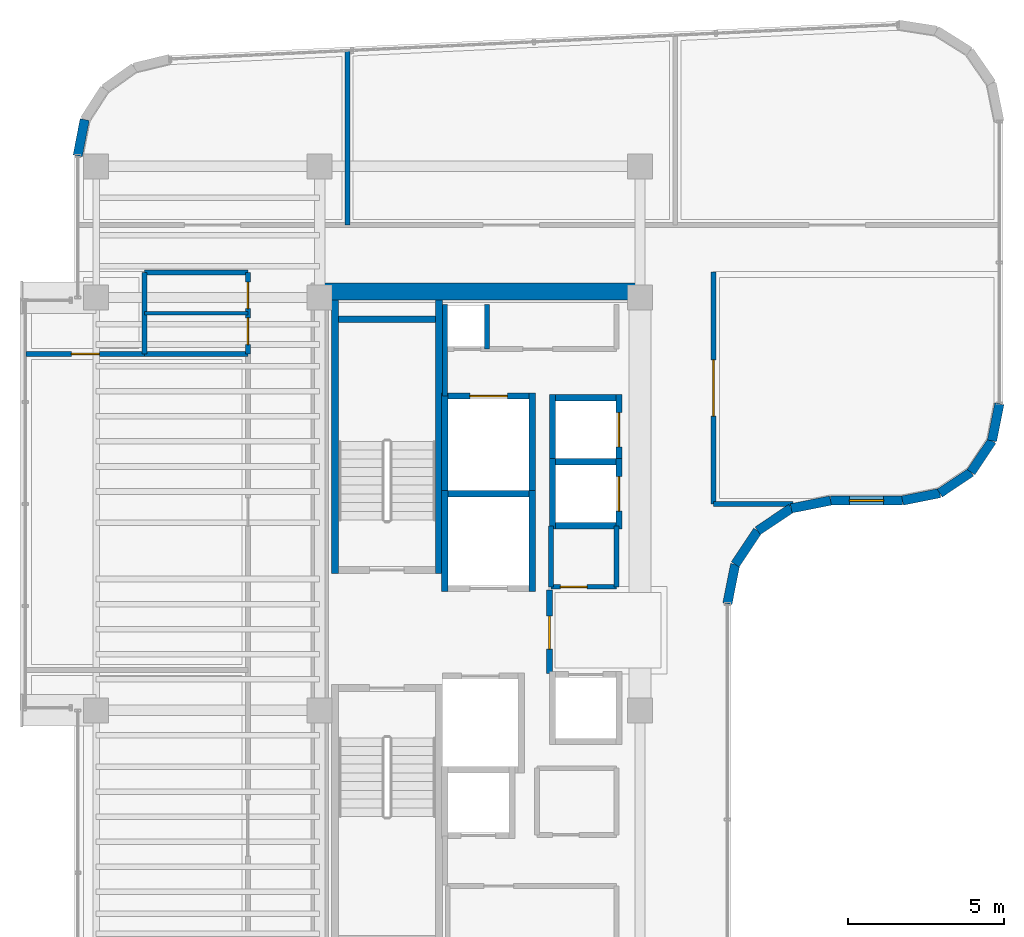
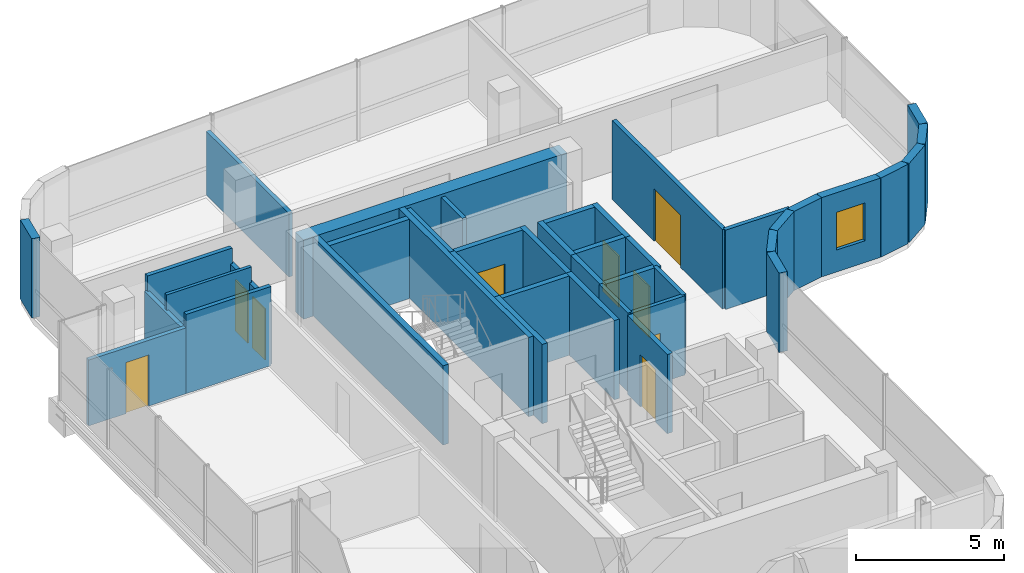
# One storey, part 15 of 18: 42 walls, 9 doors, 1 window, 10 openings.
"""IFC4 building model written with IfcOpenShell, lengths in metres."""

from ifc_helpers import new_model, si_unit, direction, frame, frame_2d, origin, place, context, subcontext, project, spatial, rectangle, extrude, material, layer, layer_set, type_object, element, fill, save


model = new_model("IFC4")

# Units and contexts
model_context = context("Model", 3, precision=1e-05, world=origin(), true_north=direction((0.0, 1.0)))
body_context = subcontext(model_context, "Body", "Model", "MODEL_VIEW")
ifc_project = project(units=[si_unit("LENGTHUNIT", "METRE"), si_unit("AREAUNIT", "SQUARE_METRE"), si_unit("VOLUMEUNIT", "CUBIC_METRE"), si_unit("PLANEANGLEUNIT", "RADIAN"), si_unit("MASSUNIT", "GRAM", prefix="KILO")], contexts=[model_context])

# Site, building, storey
site_placement = place(None, origin())
site = spatial("IfcSite", under=ifc_project, at=site_placement, CompositionType="ELEMENT")
building_placement = place(site_placement, origin())
building = spatial("IfcBuilding", under=site, at=building_placement, Name="Valdorenza Pilgrim Sanctuary Tower", CompositionType="ELEMENT")
storey_placement = place(building_placement, frame((0.0, 0.0, 276.5)))
storey = spatial("IfcBuildingStorey", under=building, at=storey_placement, Name="L72", CompositionType="ELEMENT", Elevation=276.5)

# Walls
ifc_material_1 = material(Name="Acoustic twin-stud gypsum partition", Category="gypsum")
ifc_layer_1 = layer(ifc_material_1, 0.159912109375, Name="Acoustic twin-stud gypsum partition")
ifc_layer_set_1 = layer_set([ifc_layer_1], Name="Acoustic twin-stud gypsum partition")
wall_type_1 = type_object("IfcWallType", Name="WAL-COR-160", PredefinedType="PARTITIONING", material=ifc_layer_set_1)
wall_1_placement = place(storey_placement, frame((-18.64990234375, 7.449951171875, 0.0), z_axis=(0.0, 0.0, 1.0), x_axis=(0.0, 1.0, 0.0)))
element("IfcWall", 1, at=wall_1_placement, inside=storey, type_object=wall_type_1, Name="L72 Core A North Service West Wall", PredefinedType="PARTITIONING", context=body_context, shape_type="SweptSolid", body=[
    extrude(rectangle(XDim=2.929931640625, YDim=0.159912109375, at=frame_2d((1.46484375, 0.0))), origin(), (0.0, 0.0, 1.0), 3.260009765625),
])
wall_2_placement = place(storey_placement, frame((-17.300048828125, 8.949951171875, 0.0), z_axis=(0.0, 0.0, 1.0), x_axis=(0.0, 1.0, 0.0)))
element("IfcWall", 2, at=wall_2_placement, inside=storey, type_object=wall_type_1, Name="L72 Core Electrical Riser Wall", PredefinedType="PARTITIONING", context=body_context, shape_type="SweptSolid", body=[
    extrude(rectangle(XDim=1.429931640625, YDim=0.159912109375, at=frame_2d((0.71484375, 0.0))), origin(), (0.0, 0.0, 1.0), 3.260009765625),
])
wall_3_placement = place(storey_placement, frame((-13.14990234375, 1.35009765625, 0.0), z_axis=(0.0, 0.0, 1.0), x_axis=(0.0, 1.0, 0.0)))
element("IfcWall", 3, at=wall_3_placement, inside=storey, type_object=wall_type_1, Name="L72 Freed Shaft 6 East Wall", PredefinedType="PARTITIONING", context=body_context, shape_type="SweptSolid", body=[
    extrude(rectangle(XDim=1.949951171875, YDim=0.159912109375, at=frame_2d((0.97509765625, 0.0))), origin(), (0.0, 0.0, 1.0), 3.260009765625),
])
wall_4_placement = place(storey_placement, frame((-28.25, 8.800048828125, 0.0), z_axis=(0.0, 0.0, 1.0), x_axis=(0.0, 1.0, 0.0)))
element("IfcWall", 4, at=wall_4_placement, inside=storey, type_object=wall_type_1, Name="L72 Washroom West Wall", PredefinedType="PARTITIONING", context=body_context, shape_type="SweptSolid", body=[
    extrude(rectangle(XDim=2.599853515625, YDim=0.159912109375, at=frame_2d((1.2998046875, 0.0))), origin(), (0.0, 0.0, 1.0), 2.623046875),
])

# Wall, openings, doors
wall_5_placement = place(storey_placement, frame((-24.949951171875, 8.800048828125, 0.0), z_axis=(0.0, 0.0, 1.0), x_axis=(0.0, 1.0, 0.0)))
wall_5 = element("IfcWall", 5, at=wall_5_placement, inside=storey, type_object=wall_type_1, Name="L72 Washroom East Wall", PredefinedType="PARTITIONING", context=body_context, shape_type="SweptSolid", body=[
    extrude(rectangle(XDim=2.599853515625, YDim=0.159912109375, at=frame_2d((1.2998046875, 0.0))), origin(), (0.0, 0.0, 1.0), 2.623046875),
])
opening_1_placement = place(wall_5_placement, frame((0.300048828125, 0.0, 0.0)))
opening_1 = element("IfcOpeningElement", 6, at=opening_1_placement, cuts=wall_5, Name="Opening DR-WC1", PredefinedType="OPENING", context=body_context, shape_type="SweptSolid", body=[
    extrude(rectangle(XDim=0.85009765625, YDim=2.10009765625, at=frame_2d((0.425048828125, 1.050048828125))), frame((0.0, 0.0947265625, 0.0), z_axis=(0.0, -1.0, 0.0), x_axis=(1.0, 0.0, 0.0)), (0.0, 0.0, 1.0), 0.189697265625),
])
opening_2_placement = place(wall_5_placement, frame((1.449951171875, 0.0, 0.0)))
opening_2 = element("IfcOpeningElement", 7, at=opening_2_placement, cuts=wall_5, Name="Opening DR-WC1", PredefinedType="OPENING", context=body_context, shape_type="SweptSolid", body=[
    extrude(rectangle(XDim=0.85009765625, YDim=2.10009765625, at=frame_2d((0.425048828125, 1.050048828125))), frame((0.0, 0.0947265625, 0.0), z_axis=(0.0, -1.0, 0.0), x_axis=(1.0, 0.0, 0.0)), (0.0, 0.0, 1.0), 0.189697265625),
])
ifc_material_2 = material(Name="Moisture-resistant lacquered timber", Category="wood")
door_type_1 = type_object("IfcDoorType", Name="DR-BATH-850", OperationType="NOTDEFINED", PredefinedType="DOOR", material=ifc_material_2)
door_1_placement = place(opening_1_placement, origin())
door_1 = element("IfcDoor", 8, at=door_1_placement, inside=storey, type_object=door_type_1, Name="L72 Accessible Washroom Door", OperationType="SINGLE_SWING_RIGHT", OverallHeight=2.10009765625, OverallWidth=0.85009765625, PredefinedType="DOOR", context=body_context, shape_type="SweptSolid", body=[
    extrude(rectangle(XDim=0.85009765625, YDim=2.10009765625, at=frame_2d((0.425048828125, 1.050048828125))), frame((0.0, 0.02490234375, 0.0), z_axis=(0.0, -1.0, 0.0), x_axis=(1.0, 0.0, 0.0)), (0.0, 0.0, 1.0), 0.050048828125),
])
fill(opening_1, door_1)
door_2_placement = place(opening_2_placement, origin())
door_2 = element("IfcDoor", 9, at=door_2_placement, inside=storey, type_object=door_type_1, Name="L72 Public Washroom Door", OperationType="SINGLE_SWING_LEFT", OverallHeight=2.10009765625, OverallWidth=0.85009765625, PredefinedType="DOOR", context=body_context, shape_type="SweptSolid", body=[
    extrude(rectangle(XDim=0.85009765625, YDim=2.10009765625, at=frame_2d((0.425048828125, 1.050048828125))), frame((0.0, 0.02490234375, 0.0), z_axis=(0.0, -1.0, 0.0), x_axis=(1.0, 0.0, 0.0)), (0.0, 0.0, 1.0), 0.050048828125),
])
fill(opening_2, door_2)

# Walls
for number, where, z_axis, x_axis, name in (
    (10, (-28.25, 8.800048828125, 0.0), (0.0, 0.0, 1.0), (1.0, 0.0, 0.0), "L72 Washroom South Wall"),
    (11, (-28.25, 11.39990234375, 0.0), (0.0, 0.0, 1.0), (1.0, 0.0, 0.0), "L72 Washroom North Wall"),
):
    element("IfcWall", number, at=place(storey_placement, frame(where, z_axis=z_axis, x_axis=x_axis)), inside=storey, type_object=wall_type_1, Name=name, PredefinedType="PARTITIONING", context=body_context, shape_type="SweptSolid", body=[
        extrude(rectangle(XDim=3.300048828125, YDim=0.159912109375, at=frame_2d((1.64990234375, 0.0))), origin(), (0.0, 0.0, 1.0), 3.260009765625),
    ])

# Wall, opening, door
wall_6_placement = place(storey_placement, frame((-32.0400390625, 8.800048828125, 0.0), z_axis=(0.0, 0.0, 1.0), x_axis=(1.0, 0.0, 0.0)))
wall_6 = element("IfcWall", 12, at=wall_6_placement, inside=storey, type_object=wall_type_1, Name="L72 West North Alcove Wall", PredefinedType="PARTITIONING", context=body_context, shape_type="SweptSolid", body=[
    extrude(rectangle(XDim=3.7900390625, YDim=0.159912109375, at=frame_2d((1.89501953125, 0.0))), origin(), (0.0, 0.0, 1.0), 2.7060546875),
])
opening_3_placement = place(wall_6_placement, frame((1.445068359375, 0.0, 0.0)))
opening_3 = element("IfcOpeningElement", 13, at=opening_3_placement, cuts=wall_6, Name="Opening DR-RM1", PredefinedType="OPENING", context=body_context, shape_type="SweptSolid", body=[
    extrude(rectangle(XDim=0.89990234375, YDim=2.10009765625, at=frame_2d((0.449951171875, 1.050048828125))), frame((0.0, 0.0947265625, 0.0), z_axis=(0.0, -1.0, 0.0), x_axis=(1.0, 0.0, 0.0)), (0.0, 0.0, 1.0), 0.189697265625),
])
ifc_material_3 = material(Name="Solid-core European oak timber", Category="wood")
door_type_2 = type_object("IfcDoorType", Name="DR-ROOM-900", OperationType="NOTDEFINED", PredefinedType="DOOR", material=ifc_material_3)
door_3_placement = place(opening_3_placement, origin())
door_3 = element("IfcDoor", 14, at=door_3_placement, inside=storey, type_object=door_type_2, Name="L72 Pilgrim Scholar Office L72-WN Door", OperationType="SINGLE_SWING_RIGHT", OverallHeight=2.10009765625, OverallWidth=0.89990234375, PredefinedType="DOOR", context=body_context, shape_type="SweptSolid", body=[
    extrude(rectangle(XDim=0.89990234375, YDim=2.10009765625, at=frame_2d((0.449951171875, 1.050048828125))), frame((0.0, 0.02490234375, 0.0), z_axis=(0.0, -1.0, 0.0), x_axis=(1.0, 0.0, 0.0)), (0.0, 0.0, 1.0), 0.050048828125),
])
fill(opening_3, door_3)

wall_7_placement = place(storey_placement, frame((-10.050048828125, 4.0, 0.0), z_axis=(0.0, 0.0, 1.0), x_axis=(0.0, 1.0, 0.0)))
wall_7 = element("IfcWall", 15, at=wall_7_placement, inside=storey, type_object=wall_type_1, Name="L72 East Stub Corridor Wall", PredefinedType="PARTITIONING", context=body_context, shape_type="SweptSolid", body=[
    extrude(rectangle(XDim=7.419921875, YDim=0.159912109375, at=frame_2d((3.7099609375, 0.0))), origin(), (0.0, 0.0, 1.0), 3.260009765625),
])
opening_4_placement = place(wall_7_placement, frame((2.81005859375, 0.0, 0.0)))
opening_4 = element("IfcOpeningElement", 16, at=opening_4_placement, cuts=wall_7, Name="Opening DR-HL1", PredefinedType="OPENING", context=body_context, shape_type="SweptSolid", body=[
    extrude(rectangle(XDim=1.800048828125, YDim=2.14990234375, at=frame_2d((0.89990234375, 1.074951171875))), frame((0.0, 0.0947265625, 0.0), z_axis=(0.0, -1.0, 0.0), x_axis=(1.0, 0.0, 0.0)), (0.0, 0.0, 1.0), 0.189697265625),
])
ifc_material_4 = material(Name="Acoustic oak and vision-glass double door", Category="glass")
door_type_3 = type_object("IfcDoorType", Name="DR-HALL-1800", OperationType="NOTDEFINED", PredefinedType="DOOR", material=ifc_material_4)
door_4_placement = place(opening_4_placement, frame((1.800048828125, 0.0, 0.0), z_axis=(0.0, 0.0, 1.0), x_axis=(-1.0, 0.0, 0.0)))
door_4 = element("IfcDoor", 17, at=door_4_placement, inside=storey, type_object=door_type_3, Name="L72 Sacred Art Exhibition Gallery L72-E1 Door", OperationType="DOUBLE_DOOR_SINGLE_SWING", OverallHeight=2.14990234375, OverallWidth=1.800048828125, PredefinedType="DOOR", context=body_context, shape_type="SweptSolid", body=[
    extrude(rectangle(XDim=1.800048828125, YDim=2.14990234375, at=frame_2d((0.89990234375, 1.074951171875))), frame((0.0, 0.02490234375, 0.0), z_axis=(0.0, -1.0, 0.0), x_axis=(1.0, 0.0, 0.0)), (0.0, 0.0, 1.0), 0.050048828125),
])
fill(opening_4, door_4)

# Walls
wall_8_placement = place(storey_placement, frame((-10.050048828125, 4.0, 0.0), z_axis=(0.0, 0.0, 1.0), x_axis=(1.0, 0.0, 0.0)))
element("IfcWall", 18, at=wall_8_placement, inside=storey, type_object=wall_type_1, Name="L72 East Stub South Wall", PredefinedType="PARTITIONING", context=body_context, shape_type="SweptSolid", body=[
    extrude(rectangle(XDim=2.545654296875, YDim=0.159912109375, at=frame_2d((1.27294921875, 0.0))), origin(), (0.0, 0.0, 1.0), 3.260009765625),
])
ifc_material_5 = material(Name="Concrete C50/60", Category="concrete")
ifc_layer_2 = layer(ifc_material_5, 0.550048828125, Name="Concrete C50/60")
ifc_layer_set_2 = layer_set([ifc_layer_2], Name="Concrete C50/60")
wall_type_2 = type_object("IfcWallType", Name="WAL-COR-550", PredefinedType="SHEAR", material=ifc_layer_set_2)
wall_9_placement = place(storey_placement, frame((-22.64990234375, 10.800048828125, 0.0), z_axis=(0.0, 0.0, 1.0), x_axis=(1.0, 0.0, 0.0)))
element("IfcWall", 19, at=wall_9_placement, inside=storey, type_object=wall_type_2, Name="L72 Split Core A Shear Wall N", PredefinedType="SHEAR", context=body_context, shape_type="SweptSolid", body=[
    extrude(rectangle(XDim=10.25, YDim=0.550048828125, at=frame_2d((5.125, 0.0))), origin(), (0.0, 0.0, 1.0), 3.260009765625),
])
ifc_material_6 = material(Name="Honed travertine limestone", Category="masonry")
ifc_layer_3 = layer(ifc_material_6, 0.300048828125, Name="Honed travertine limestone")
ifc_layer_set_3 = layer_set([ifc_layer_3], Name="Honed travertine limestone")
wall_type_3 = type_object("IfcWallType", Name="WAL-EXT-300", PredefinedType="SOLIDWALL", material=ifc_layer_set_3)
wall_10_placement = place(storey_placement, frame((-30.389892578125, 15.13671875, 0.0), z_axis=(0.0, 0.0, 1.0), x_axis=(0.189307792679, 0.981917796779, 0.0)))
element("IfcWall", 20, at=wall_10_placement, inside=storey, type_object=wall_type_3, Name="L72 Rounded Wind-Corner Stone Pier 2", PredefinedType="SOLIDWALL", context=body_context, shape_type="SweptSolid", body=[
    extrude(rectangle(XDim=1.179931640625, YDim=0.300048828125, at=frame_2d((0.58984375, 0.0))), origin(), (0.0, 0.0, 1.0), 3.260009765625),
])
wall_11_placement = place(storey_placement, frame((-0.909912109375, 7.210693359375, 0.0), z_axis=(0.0, 0.0, 1.0), x_axis=(-0.195189223115, -0.980765602568, 0.0)))
element("IfcWall", 21, at=wall_11_placement, inside=storey, type_object=wall_type_3, Name="L72 Rounded Wind-Corner Stone Pier 12", PredefinedType="SOLIDWALL", context=body_context, shape_type="SweptSolid", body=[
    extrude(rectangle(XDim=1.2158203125, YDim=0.300048828125, at=frame_2d((0.60791015625, 0.0))), origin(), (0.0, 0.0, 1.0), 3.260009765625),
])
for number, where, z_axis, x_axis, name in (
    (22, (-1.147216796875, 6.018310546875, 0.0), (0.0, 0.0, 1.0), (-0.555635100982, -0.831426265255, 0.0), "L72 Rounded Wind-Corner Stone Pier 13"),
    (23, (-1.816650390625, 5.0166015625, 0.0), (0.0, 0.0, 1.0), (-0.831426265255, -0.555635100982, 0.0), "L72 Rounded Wind-Corner Stone Pier 14"),
):
    element("IfcWall", number, at=place(storey_placement, frame(where, z_axis=z_axis, x_axis=x_axis)), inside=storey, type_object=wall_type_3, Name=name, PredefinedType="SOLIDWALL", context=body_context, shape_type="SweptSolid", body=[
        extrude(rectangle(XDim=1.204833984375, YDim=0.300048828125, at=frame_2d((0.6025390625, 0.0))), origin(), (0.0, 0.0, 1.0), 3.260009765625),
    ])
wall_12_placement = place(storey_placement, frame((-2.818359375, 4.34716796875, 0.0), z_axis=(0.0, 0.0, 1.0), x_axis=(-0.980804027463, -0.194996050505, 0.0)))
element("IfcWall", 24, at=wall_12_placement, inside=storey, type_object=wall_type_3, Name="L72 Rounded Wind-Corner Stone Pier 15", PredefinedType="SOLIDWALL", context=body_context, shape_type="SweptSolid", body=[
    extrude(rectangle(XDim=1.2158203125, YDim=0.300048828125, at=frame_2d((0.60791015625, 0.0))), origin(), (0.0, 0.0, 1.0), 3.260009765625),
])

# Wall, opening, window
wall_13_placement = place(storey_placement, frame((-4.0107421875, 4.110107421875, 0.0), z_axis=(0.0, 0.0, 1.0), x_axis=(-1.0, 0.0, 0.0)))
wall_13 = element("IfcWall", 25, at=wall_13_placement, inside=storey, type_object=wall_type_3, Name="L72 Rounded Wind-Corner Stone Pier 16", PredefinedType="SOLIDWALL", context=body_context, shape_type="SweptSolid", body=[
    extrude(rectangle(XDim=2.300048828125, YDim=0.300048828125, at=frame_2d((1.14990234375, 0.0))), origin(), (0.0, 0.0, 1.0), 3.260009765625),
])
opening_5_placement = place(wall_13_placement, frame((0.60009765625, 0.0, 0.89990234375)))
opening_5 = element("IfcOpeningElement", 26, at=opening_5_placement, cuts=wall_13, Name="Opening WN-CR1", PredefinedType="OPENING", context=body_context, shape_type="SweptSolid", body=[
    extrude(rectangle(XDim=1.10009765625, YDim=1.550048828125, at=frame_2d((0.550048828125, 0.77490234375))), frame((0.0, 0.1650390625, 0.0), z_axis=(0.0, -1.0, 0.0), x_axis=(1.0, 0.0, 0.0)), (0.0, 0.0, 1.0), 0.329833984375),
])
ifc_material_7 = material(Name="Ceramic-fritted low-E IGU glazing", Category="glass")
window_type = type_object("IfcWindowType", Name="WIN-CRN-1200", PartitioningType="SINGLE_PANEL", PredefinedType="WINDOW", material=ifc_material_7)
window_placement = place(opening_5_placement, origin())
window = element("IfcWindow", 27, at=window_placement, inside=storey, type_object=window_type, Name="L72 Rounded Corner Slot Window 16", OverallHeight=1.550048828125, OverallWidth=1.10009765625, PartitioningType="SINGLE_PANEL", PredefinedType="WINDOW", context=body_context, shape_type="SweptSolid", body=[
    extrude(rectangle(XDim=1.10009765625, YDim=1.550048828125, at=frame_2d((0.550048828125, 0.77490234375))), frame((0.0, 0.030029296875, 0.0), z_axis=(0.0, -1.0, 0.0), x_axis=(1.0, 0.0, 0.0)), (0.0, 0.0, 1.0), 0.06005859375),
])
fill(opening_5, window)

# Walls
wall_14_placement = place(storey_placement, frame((-6.310791015625, 4.110107421875, 0.0), z_axis=(0.0, 0.0, 1.0), x_axis=(-0.980778058848, -0.195126623715, 0.0)))
element("IfcWall", 28, at=wall_14_placement, inside=storey, type_object=wall_type_3, Name="L72 Rounded Wind-Corner Stone Pier 17", PredefinedType="SOLIDWALL", context=body_context, shape_type="SweptSolid", body=[
    extrude(rectangle(XDim=1.28125, YDim=0.300048828125, at=frame_2d((0.640625, 0.0))), origin(), (0.0, 0.0, 1.0), 3.260009765625),
])
for number, where, z_axis, x_axis, name in (
    (29, (-7.5673828125, 3.860107421875, 0.0), (0.0, 0.0, 1.0), (-0.831497739511, -0.555528135371, 0.0), "L72 Rounded Wind-Corner Stone Pier 18"),
    (30, (-8.64208984375, 3.14208984375, 0.0), (0.0, 0.0, 1.0), (-0.555528135371, -0.831497739511, 0.0), "L72 Rounded Wind-Corner Stone Pier 19"),
):
    element("IfcWall", number, at=place(storey_placement, frame(where, z_axis=z_axis, x_axis=x_axis)), inside=storey, type_object=wall_type_3, Name=name, PredefinedType="SOLIDWALL", context=body_context, shape_type="SweptSolid", body=[
        extrude(rectangle(XDim=1.29248046875, YDim=0.300048828125, at=frame_2d((0.646240234375, 0.0))), origin(), (0.0, 0.0, 1.0), 3.260009765625),
    ])
wall_15_placement = place(storey_placement, frame((-9.360107421875, 2.0673828125, 0.0), z_axis=(0.0, 0.0, 1.0), x_axis=(-0.195126623715, -0.980778058848, 0.0)))
element("IfcWall", 31, at=wall_15_placement, inside=storey, type_object=wall_type_3, Name="L72 Rounded Wind-Corner Stone Pier 20", PredefinedType="SOLIDWALL", context=body_context, shape_type="SweptSolid", body=[
    extrude(rectangle(XDim=1.28125, YDim=0.300048828125, at=frame_2d((0.640625, 0.0))), origin(), (0.0, 0.0, 1.0), 3.260009765625),
])

# Wall, opening, door
ifc_material_8 = material(Name="Gypsum shaftwall partition", Category="gypsum")
ifc_layer_4 = layer(ifc_material_8, 0.199951171875, Name="Gypsum shaftwall partition")
ifc_layer_set_4 = layer_set([ifc_layer_4], Name="Gypsum shaftwall partition")
wall_type_4 = type_object("IfcWallType", Name="WAL-FFL-200", PredefinedType="PARTITIONING", material=ifc_layer_set_4)
wall_16_placement = place(storey_placement, frame((-15.300048828125, -1.419921875, 0.0), z_axis=(0.0, 0.0, 1.0), x_axis=(0.0, 1.0, 0.0)))
wall_16 = element("IfcWall", 32, at=wall_16_placement, inside=storey, type_object=wall_type_4, Name="L72 Core A Firefighting Lobby East Wall", PredefinedType="PARTITIONING", context=body_context, shape_type="SweptSolid", body=[
    extrude(rectangle(XDim=2.669921875, YDim=0.199951171875, at=frame_2d((1.3349609375, 0.0))), origin(), (0.0, 0.0, 1.0), 3.260009765625),
])
opening_6_placement = place(wall_16_placement, frame((0.780029296875, 0.0, 0.0)))
opening_6 = element("IfcOpeningElement", 33, at=opening_6_placement, cuts=wall_16, Name="Opening DR-FL1", PredefinedType="OPENING", context=body_context, shape_type="SweptSolid", body=[
    extrude(rectangle(XDim=1.050048828125, YDim=2.14990234375, at=frame_2d((0.52490234375, 1.074951171875))), frame((0.0, 0.11474609375, 0.0), z_axis=(0.0, -1.0, 0.0), x_axis=(1.0, 0.0, 0.0)), (0.0, 0.0, 1.0), 0.229736328125),
])
ifc_material_9 = material(Name="Painted galvanized steel", Category="steel")
door_type_4 = type_object("IfcDoorType", Name="DR-FFL-1050", OperationType="NOTDEFINED", PredefinedType="DOOR", material=ifc_material_9)
door_5_placement = place(opening_6_placement, origin())
door_5 = element("IfcDoor", 34, at=door_5_placement, inside=storey, type_object=door_type_4, Name="L72 Core A Firefighting Lobby Door", OperationType="SINGLE_SWING_RIGHT", OverallHeight=2.14990234375, OverallWidth=1.050048828125, PredefinedType="DOOR", context=body_context, shape_type="SweptSolid", body=[
    extrude(rectangle(XDim=1.050048828125, YDim=2.14990234375, at=frame_2d((0.52490234375, 1.074951171875))), frame((0.0, 0.02490234375, 0.0), z_axis=(0.0, -1.0, 0.0), x_axis=(1.0, 0.0, 0.0)), (0.0, 0.0, 1.0), 0.050048828125),
])
fill(opening_6, door_5)

# Walls
ifc_material_10 = material(Name="Moisture-resistant gypsum partition", Category="gypsum")
ifc_layer_5 = layer(ifc_material_10, 0.1201171875, Name="Moisture-resistant gypsum partition")
ifc_layer_set_5 = layer_set([ifc_layer_5], Name="Moisture-resistant gypsum partition")
wall_type_5 = type_object("IfcWallType", Name="WAL-INT-120", PredefinedType="PARTITIONING", material=ifc_layer_set_5)
wall_17_placement = place(storey_placement, frame((-28.25, 10.10009765625, 0.0), z_axis=(0.0, 0.0, 1.0), x_axis=(1.0, 0.0, 0.0)))
element("IfcWall", 35, at=wall_17_placement, inside=storey, type_object=wall_type_5, Name="L72 Washroom Divider Wall", PredefinedType="PARTITIONING", context=body_context, shape_type="SweptSolid", body=[
    extrude(rectangle(XDim=3.300048828125, YDim=0.1201171875, at=frame_2d((1.64990234375, 0.0))), origin(), (0.0, 0.0, 1.0), 3.260009765625),
])
ifc_material_11 = material(Name="Autoclaved aerated concrete blockwork", Category="masonry")
ifc_layer_6 = layer(ifc_material_11, 0.199951171875, Name="Autoclaved aerated concrete blockwork")
ifc_layer_set_6 = layer_set([ifc_layer_6], Name="Autoclaved aerated concrete blockwork")
wall_type_6 = type_object("IfcWallType", Name="WAL-SHF-200", PredefinedType="MOVABLE", material=ifc_layer_set_6)
for number, where, z_axis, x_axis, name in (
    (36, (-18.64990234375, 1.199951171875, 0.0), (0.0, 0.0, 1.0), (0.0, 1.0, 0.0), "L72 Lift FFL-01 Hoistway Wall West"),
    (37, (-15.85009765625, 1.199951171875, 0.0), (0.0, 0.0, 1.0), (0.0, 1.0, 0.0), "L72 Lift FFL-01 Hoistway Wall East"),
):
    element("IfcWall", number, at=place(storey_placement, frame(where, z_axis=z_axis, x_axis=x_axis)), inside=storey, type_object=wall_type_6, Name=name, PredefinedType="MOVABLE", context=body_context, shape_type="SweptSolid", body=[
        extrude(rectangle(XDim=3.22509765625, YDim=0.199951171875, at=frame_2d((1.612548828125, 0.0))), origin(), (0.0, 0.0, 1.0), 3.260009765625),
    ])
wall_18_placement = place(storey_placement, frame((-18.550048828125, 4.324951171875, 0.0), z_axis=(0.0, 0.0, 1.0), x_axis=(1.0, 0.0, 0.0)))
element("IfcWall", 38, at=wall_18_placement, inside=storey, type_object=wall_type_6, Name="L72 Lift FFL-01 Hoistway Wall North", PredefinedType="MOVABLE", context=body_context, shape_type="SweptSolid", body=[
    extrude(rectangle(XDim=2.60009765625, YDim=0.199951171875, at=frame_2d((1.300048828125, 0.0))), origin(), (0.0, 0.0, 1.0), 3.260009765625),
])
for number, where, z_axis, x_axis, name in (
    (39, (-18.64990234375, 4.22509765625, 0.0), (0.0, 0.0, 1.0), (0.0, 1.0, 0.0), "L72 Lift SVL-01 Hoistway Wall West"),
    (40, (-15.85009765625, 4.22509765625, 0.0), (0.0, 0.0, 1.0), (0.0, 1.0, 0.0), "L72 Lift SVL-01 Hoistway Wall East"),
):
    element("IfcWall", number, at=place(storey_placement, frame(where, z_axis=z_axis, x_axis=x_axis)), inside=storey, type_object=wall_type_6, Name=name, PredefinedType="MOVABLE", context=body_context, shape_type="SweptSolid", body=[
        extrude(rectangle(XDim=3.324951171875, YDim=0.199951171875, at=frame_2d((1.66259765625, 0.0))), origin(), (0.0, 0.0, 1.0), 3.260009765625),
    ])

# Wall, opening, door
wall_19_placement = place(storey_placement, frame((-18.550048828125, 7.449951171875, 0.0), z_axis=(0.0, 0.0, 1.0), x_axis=(1.0, 0.0, 0.0)))
wall_19 = element("IfcWall", 41, at=wall_19_placement, inside=storey, type_object=wall_type_6, Name="L72 Lift SVL-01 Hoistway Wall North", PredefinedType="MOVABLE", context=body_context, shape_type="SweptSolid", body=[
    extrude(rectangle(XDim=2.60009765625, YDim=0.199951171875, at=frame_2d((1.300048828125, 0.0))), origin(), (0.0, 0.0, 1.0), 3.260009765625),
])
opening_7_placement = place(wall_19_placement, frame((0.699951171875, 0.0, 0.0)))
opening_7 = element("IfcOpeningElement", 42, at=opening_7_placement, cuts=wall_19, Name="Opening LD-02", PredefinedType="OPENING", context=body_context, shape_type="SweptSolid", body=[
    extrude(rectangle(XDim=1.199951171875, YDim=2.10009765625, at=frame_2d((0.60009765625, 1.050048828125))), frame((0.0, 0.11474609375, 0.0), z_axis=(0.0, -1.0, 0.0), x_axis=(1.0, 0.0, 0.0)), (0.0, 0.0, 1.0), 0.229736328125),
])
ifc_material_12 = material(Name="Brushed stainless steel Grade 316", Category="steel")
door_type_5 = type_object("IfcDoorType", Name="DR-LFT-1200", OperationType="DOUBLE_DOOR_SLIDING", PredefinedType="DOOR", material=ifc_material_12)
door_6_placement = place(opening_7_placement, origin())
door_6 = element("IfcDoor", 43, at=door_6_placement, inside=storey, type_object=door_type_5, Name="L72 Lift SVL-01 Sliding Landing Door", OperationType="DOUBLE_DOOR_SLIDING", OverallHeight=2.10009765625, OverallWidth=1.199951171875, PredefinedType="DOOR", context=body_context, shape_type="SweptSolid", body=[
    extrude(rectangle(XDim=1.199951171875, YDim=2.10009765625, at=frame_2d((0.60009765625, 1.050048828125))), frame((0.0, 0.02490234375, 0.0), z_axis=(0.0, -1.0, 0.0), x_axis=(1.0, 0.0, 0.0)), (0.0, 0.0, 1.0), 0.050048828125),
])
fill(opening_7, door_6)

# Wall
wall_20_placement = place(storey_placement, frame((-15.199951171875, 3.199951171875, 0.0), z_axis=(0.0, 0.0, 1.0), x_axis=(0.0, 1.0, 0.0)))
element("IfcWall", 44, at=wall_20_placement, inside=storey, type_object=wall_type_6, Name="L72 Lift PL-09 Hoistway Wall West", PredefinedType="MOVABLE", context=body_context, shape_type="SweptSolid", body=[
    extrude(rectangle(XDim=2.25, YDim=0.199951171875, at=frame_2d((1.125, 0.0))), origin(), (0.0, 0.0, 1.0), 3.260009765625),
])

# Wall, opening, door
wall_21_placement = place(storey_placement, frame((-13.080078125, 3.199951171875, 0.0), z_axis=(0.0, 0.0, 1.0), x_axis=(0.0, 1.0, 0.0)))
wall_21 = element("IfcWall", 45, at=wall_21_placement, inside=storey, type_object=wall_type_6, Name="L72 Lift PL-09 Hoistway Wall East", PredefinedType="MOVABLE", context=body_context, shape_type="SweptSolid", body=[
    extrude(rectangle(XDim=2.25, YDim=0.199951171875, at=frame_2d((1.125, 0.0))), origin(), (0.0, 0.0, 1.0), 3.260009765625),
])
opening_8_placement = place(wall_21_placement, frame((0.574951171875, 0.0, 0.0)))
opening_8 = element("IfcOpeningElement", 46, at=opening_8_placement, cuts=wall_21, Name="Opening LD-01", PredefinedType="OPENING", context=body_context, shape_type="SweptSolid", body=[
    extrude(rectangle(XDim=1.10009765625, YDim=2.10009765625, at=frame_2d((0.550048828125, 1.050048828125))), frame((0.0, 0.11474609375, 0.0), z_axis=(0.0, -1.0, 0.0), x_axis=(1.0, 0.0, 0.0)), (0.0, 0.0, 1.0), 0.229736328125),
])
door_type_6 = type_object("IfcDoorType", Name="DR-LFT-1100", OperationType="DOUBLE_DOOR_SLIDING", PredefinedType="DOOR", material=ifc_material_12)
door_7_placement = place(opening_8_placement, origin())
door_7 = element("IfcDoor", 47, at=door_7_placement, inside=storey, type_object=door_type_6, Name="L72 Lift PL-09 Sliding Landing Door", OperationType="DOUBLE_DOOR_SLIDING", OverallHeight=2.10009765625, OverallWidth=1.10009765625, PredefinedType="DOOR", context=body_context, shape_type="SweptSolid", body=[
    extrude(rectangle(XDim=1.10009765625, YDim=2.10009765625, at=frame_2d((0.550048828125, 1.050048828125))), frame((0.0, 0.02490234375, 0.0), z_axis=(0.0, -1.0, 0.0), x_axis=(1.0, 0.0, 0.0)), (0.0, 0.0, 1.0), 0.050048828125),
])
fill(opening_8, door_7)

# Walls
for number, where, z_axis, x_axis, name in (
    (48, (-15.10009765625, 3.300048828125, 0.0), (0.0, 0.0, 1.0), (1.0, 0.0, 0.0), "L72 Lift PL-09 Hoistway Wall South"),
    (49, (-15.10009765625, 5.35009765625, 0.0), (0.0, 0.0, 1.0), (1.0, 0.0, 0.0), "L72 Lift PL-09 Hoistway Wall North"),
):
    element("IfcWall", number, at=place(storey_placement, frame(where, z_axis=z_axis, x_axis=x_axis)), inside=storey, type_object=wall_type_6, Name=name, PredefinedType="MOVABLE", context=body_context, shape_type="SweptSolid", body=[
        extrude(rectangle(XDim=1.920166015625, YDim=0.199951171875, at=frame_2d((0.9599609375, 0.0))), origin(), (0.0, 0.0, 1.0), 3.260009765625),
    ])
wall_22_placement = place(storey_placement, frame((-15.199951171875, 5.25, 0.0), z_axis=(0.0, 0.0, 1.0), x_axis=(0.0, 1.0, 0.0)))
element("IfcWall", 50, at=wall_22_placement, inside=storey, type_object=wall_type_6, Name="L72 Lift PL-10 Hoistway Wall West", PredefinedType="MOVABLE", context=body_context, shape_type="SweptSolid", body=[
    extrude(rectangle(XDim=2.25, YDim=0.199951171875, at=frame_2d((1.125, 0.0))), origin(), (0.0, 0.0, 1.0), 3.260009765625),
])

# Wall, opening, door
wall_23_placement = place(storey_placement, frame((-13.080078125, 5.25, 0.0), z_axis=(0.0, 0.0, 1.0), x_axis=(0.0, 1.0, 0.0)))
wall_23 = element("IfcWall", 51, at=wall_23_placement, inside=storey, type_object=wall_type_6, Name="L72 Lift PL-10 Hoistway Wall East", PredefinedType="MOVABLE", context=body_context, shape_type="SweptSolid", body=[
    extrude(rectangle(XDim=2.25, YDim=0.199951171875, at=frame_2d((1.125, 0.0))), origin(), (0.0, 0.0, 1.0), 3.260009765625),
])
opening_9_placement = place(wall_23_placement, frame((0.574951171875, 0.0, 0.0)))
opening_9 = element("IfcOpeningElement", 52, at=opening_9_placement, cuts=wall_23, Name="Opening LD-01", PredefinedType="OPENING", context=body_context, shape_type="SweptSolid", body=[
    extrude(rectangle(XDim=1.10009765625, YDim=2.10009765625, at=frame_2d((0.550048828125, 1.050048828125))), frame((0.0, 0.11474609375, 0.0), z_axis=(0.0, -1.0, 0.0), x_axis=(1.0, 0.0, 0.0)), (0.0, 0.0, 1.0), 0.229736328125),
])
door_8_placement = place(opening_9_placement, origin())
door_8 = element("IfcDoor", 53, at=door_8_placement, inside=storey, type_object=door_type_6, Name="L72 Lift PL-10 Sliding Landing Door", OperationType="DOUBLE_DOOR_SLIDING", OverallHeight=2.10009765625, OverallWidth=1.10009765625, PredefinedType="DOOR", context=body_context, shape_type="SweptSolid", body=[
    extrude(rectangle(XDim=1.10009765625, YDim=2.10009765625, at=frame_2d((0.550048828125, 1.050048828125))), frame((0.0, 0.02490234375, 0.0), z_axis=(0.0, -1.0, 0.0), x_axis=(1.0, 0.0, 0.0)), (0.0, 0.0, 1.0), 0.050048828125),
])
fill(opening_9, door_8)

# Walls
wall_24_placement = place(storey_placement, frame((-15.10009765625, 7.39990234375, 0.0), z_axis=(0.0, 0.0, 1.0), x_axis=(1.0, 0.0, 0.0)))
element("IfcWall", 54, at=wall_24_placement, inside=storey, type_object=wall_type_6, Name="L72 Lift PL-10 Hoistway Wall North", PredefinedType="MOVABLE", context=body_context, shape_type="SweptSolid", body=[
    extrude(rectangle(XDim=1.920166015625, YDim=0.199951171875, at=frame_2d((0.9599609375, 0.0))), origin(), (0.0, 0.0, 1.0), 3.260009765625),
])
ifc_material_13 = material(Name="Concrete C40/50", Category="concrete")
ifc_layer_7 = layer(ifc_material_13, 0.219970703125, Name="Concrete C40/50")
ifc_layer_set_7 = layer_set([ifc_layer_7], Name="Concrete C40/50")
wall_type_7 = type_object("IfcWallType", Name="WAL-STR-SHF-220", PredefinedType="SHEAR", material=ifc_layer_set_7)
for number, where, z_axis, x_axis, name in (
    (55, (-22.159912109375, 1.780029296875, 0.0), (0.0, 0.0, 1.0), (0.0, 1.0, 0.0), "L72 ST-A1 Structural Stairwell Wall W"),
    (56, (-18.830078125, 1.780029296875, 0.0), (0.0, 0.0, 1.0), (0.0, 1.0, 0.0), "L72 ST-A1 Structural Stairwell Wall E"),
):
    element("IfcWall", number, at=place(storey_placement, frame(where, z_axis=z_axis, x_axis=x_axis)), inside=storey, type_object=wall_type_7, Name=name, PredefinedType="SHEAR", context=body_context, shape_type="SweptSolid", body=[
        extrude(rectangle(XDim=8.744873046875, YDim=0.219970703125, at=frame_2d((4.37255859375, 0.0))), origin(), (0.0, 0.0, 1.0), 3.260009765625),
    ])
wall_25_placement = place(storey_placement, frame((-22.050048828125, 9.909912109375, 0.0), z_axis=(0.0, 0.0, 1.0), x_axis=(1.0, 0.0, 0.0)))
element("IfcWall", 57, at=wall_25_placement, inside=storey, type_object=wall_type_7, Name="L72 ST-A1 Structural Stairwell Wall N", PredefinedType="SHEAR", context=body_context, shape_type="SweptSolid", body=[
    extrude(rectangle(XDim=3.110107421875, YDim=0.219970703125, at=frame_2d((1.55517578125, 0.0))), origin(), (0.0, 0.0, 1.0), 3.260009765625),
])
ifc_layer_8 = layer(ifc_material_1, 0.14990234375, Name="Acoustic twin-stud gypsum partition")
ifc_layer_set_8 = layer_set([ifc_layer_8], Name="Acoustic twin-stud gypsum partition")
wall_type_8 = type_object("IfcWallType", Name="WAL-UNT-150", PredefinedType="PARTITIONING", material=ifc_layer_set_8)
wall_26_placement = place(storey_placement, frame((-15.25, 1.35009765625, 0.0), z_axis=(0.0, 0.0, 1.0), x_axis=(0.0, 1.0, 0.0)))
element("IfcWall", 58, at=wall_26_placement, inside=storey, type_object=wall_type_8, Name="L72 Freed Shaft 6 West Wall", PredefinedType="PARTITIONING", context=body_context, shape_type="SweptSolid", body=[
    extrude(rectangle(XDim=1.949951171875, YDim=0.14990234375, at=frame_2d((0.97509765625, 0.0))), origin(), (0.0, 0.0, 1.0), 3.260009765625),
])

# Wall, opening, door
wall_27_placement = place(storey_placement, frame((-15.25, 1.35009765625, 0.0), z_axis=(0.0, 0.0, 1.0), x_axis=(1.0, 0.0, 0.0)))
wall_27 = element("IfcWall", 59, at=wall_27_placement, inside=storey, type_object=wall_type_8, Name="L72 Freed Shaft 6 South Wall", PredefinedType="PARTITIONING", context=body_context, shape_type="SweptSolid", body=[
    extrude(rectangle(XDim=2.10009765625, YDim=0.14990234375, at=frame_2d((1.050048828125, 0.0))), origin(), (0.0, 0.0, 1.0), 3.260009765625),
])
opening_10_placement = place(wall_27_placement, frame((0.300048828125, 0.0, 0.0)))
opening_10 = element("IfcOpeningElement", 60, at=opening_10_placement, cuts=wall_27, Name="Opening DR-RS1", PredefinedType="OPENING", context=body_context, shape_type="SweptSolid", body=[
    extrude(rectangle(XDim=0.85009765625, YDim=2.050048828125, at=frame_2d((0.425048828125, 1.02490234375))), frame((0.0, 0.08984375, 0.0), z_axis=(0.0, -1.0, 0.0), x_axis=(1.0, 0.0, 0.0)), (0.0, 0.0, 1.0), 0.1796875),
])
door_type_7 = type_object("IfcDoorType", Name="DR-RSR-850", OperationType="NOTDEFINED", PredefinedType="DOOR", material=ifc_material_9)
door_9_placement = place(opening_10_placement, origin())
door_9 = element("IfcDoor", 61, at=door_9_placement, inside=storey, type_object=door_type_7, Name="L72 High-Rise Butler Pantry Door", OperationType="SINGLE_SWING_LEFT", OverallHeight=2.050048828125, OverallWidth=0.85009765625, PredefinedType="DOOR", context=body_context, shape_type="SweptSolid", body=[
    extrude(rectangle(XDim=0.85009765625, YDim=2.050048828125, at=frame_2d((0.425048828125, 1.02490234375))), frame((0.0, 0.02490234375, 0.0), z_axis=(0.0, -1.0, 0.0), x_axis=(1.0, 0.0, 0.0)), (0.0, 0.0, 1.0), 0.050048828125),
])
fill(opening_10, door_9)

# Wall
wall_28_placement = place(storey_placement, frame((-21.760009765625, 12.919921875, 0.0), z_axis=(0.0, 0.0, 1.0), x_axis=(0.0, 1.0, 0.0)))
element("IfcWall", 62, at=wall_28_placement, inside=storey, type_object=wall_type_8, Name="L72 Sacred Art Exhibition Gallery L72-N2 Demising Wall", PredefinedType="PARTITIONING", context=body_context, shape_type="SweptSolid", body=[
    extrude(rectangle(XDim=5.581787109375, YDim=0.14990234375, at=frame_2d((2.791015625, 0.0))), origin(), (0.0, 0.0, 1.0), 2.623046875),
])

save(model, "model.ifc")
